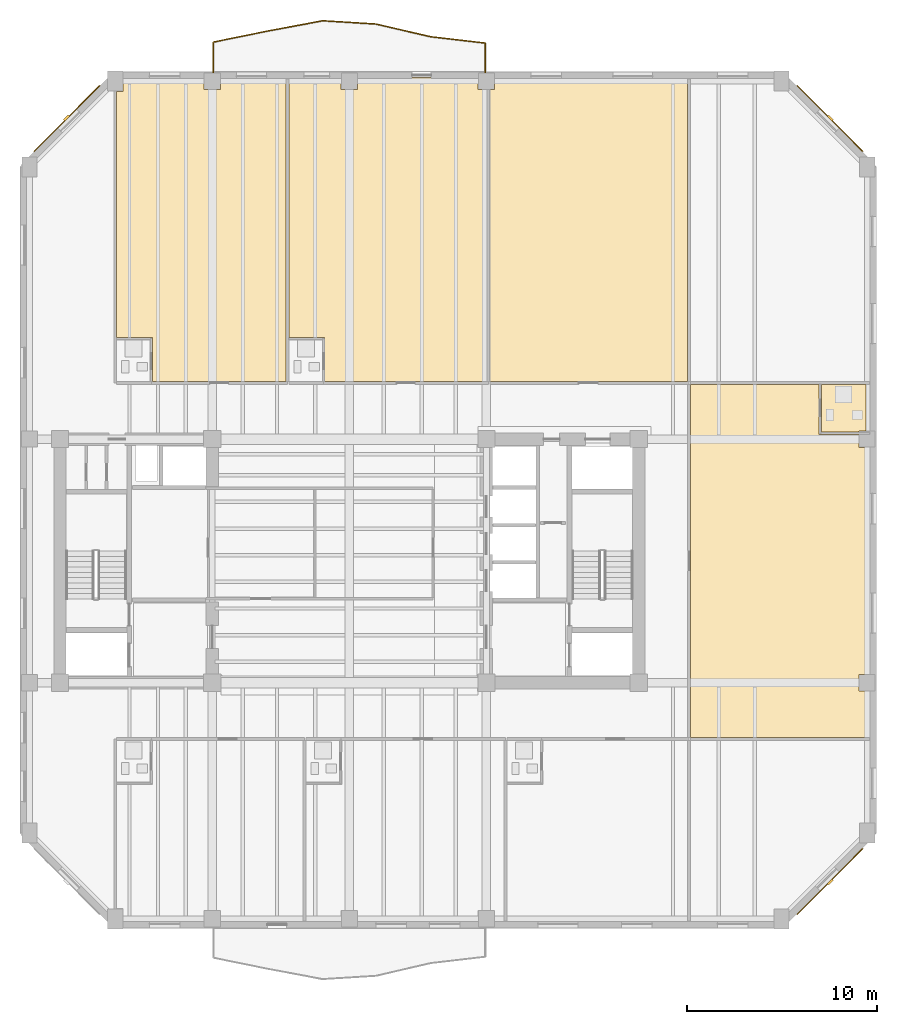
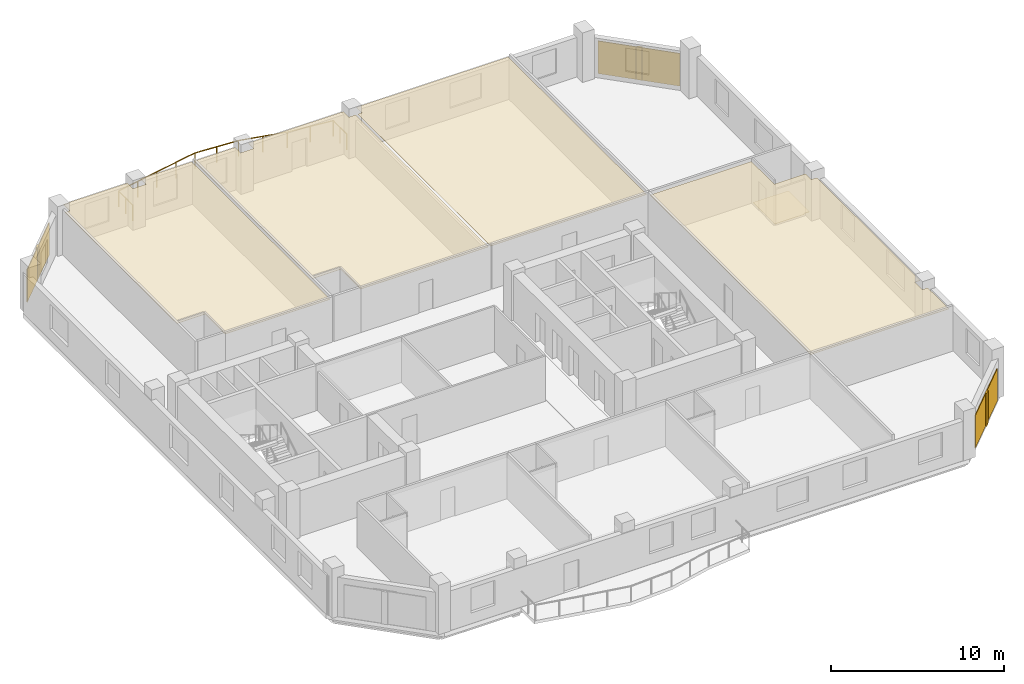
# One storey, part 8 of 9: 8 coverings, 3 shading devices, 1 railing.
"""IFC4 building model written with IfcOpenShell, lengths in metres."""

from ifc_helpers import new_model, si_unit, direction, frame, origin, origin_2d, place, context, subcontext, project, spatial, polyline, rectangle, circle, outline, extrude, material, layer, layer_set, type_object, element, save


model = new_model("IFC4")

# Units and contexts
model_context = context("Model", 3, precision=1e-05, world=origin(), true_north=direction((0.0, 1.0)))
body_context = subcontext(model_context, "Body", "Model", "MODEL_VIEW")
ifc_project = project(units=[si_unit("LENGTHUNIT", "METRE"), si_unit("AREAUNIT", "SQUARE_METRE"), si_unit("VOLUMEUNIT", "CUBIC_METRE"), si_unit("PLANEANGLEUNIT", "RADIAN"), si_unit("MASSUNIT", "GRAM", prefix="KILO")], contexts=[model_context])

# Site, building, storey
site_placement = place(None, origin())
site = spatial("IfcSite", under=ifc_project, at=site_placement, CompositionType="ELEMENT")
building_placement = place(site_placement, origin())
building = spatial("IfcBuilding", under=site, at=building_placement, Name="Kranthara Brick Stack", CompositionType="ELEMENT")
storey_placement = place(building_placement, frame((0.0, 0.0, 169.300048828125)))
storey = spatial("IfcBuildingStorey", under=building, at=storey_placement, Name="L43", CompositionType="ELEMENT", Elevation=169.300048828125)

# Coverings
ifc_material_1 = material(Name="Perforated mineral-fibre acoustic ceiling tile", Category="other")
ifc_layer_1 = layer(ifc_material_1, 0.02490234375)
ifc_layer_set_1 = layer_set([ifc_layer_1], Name="Perforated mineral-fibre acoustic ceiling tile")
covering_type_1 = type_object("IfcCoveringType", Name="COV-CEIL-ACOUSTIC", PredefinedType="CEILING", material=ifc_layer_set_1)
covering_1_placement = place(storey_placement, frame((0.0, 0.0, 2.929931640625)))
element("IfcCovering", 1, at=covering_1_placement, inside=storey, type_object=covering_type_1, Name="L43 Room L43-04 Corner Junior Suite Acoustic Ceiling", PredefinedType="CEILING", context=body_context, shape_type="SweptSolid", body=[
    extrude(outline(polyline([(24.6650390625, 36.6298828125), (17.659912109375, 36.6298828125), (17.659912109375, 38.93994140625), (15.780029296875, 38.93994140625), (15.780029296875, 51.864990234375), (16.110107421875, 51.864990234375), (16.110107421875, 52.60009765625), (20.364990234375, 52.60009765625), (20.364990234375, 51.965087890625), (21.235107421875, 51.965087890625), (21.235107421875, 52.60009765625), (24.6650390625, 52.60009765625), (24.6650390625, 36.6298828125)])), origin(), (0.0, 0.0, 1.0), 0.02490234375),
])
covering_2_placement = place(storey_placement, frame((0.0, 0.0, 2.929931640625)))
element("IfcCovering", 2, at=covering_2_placement, inside=storey, type_object=covering_type_1, Name="L43 Room L43-05 Corner Junior Suite Acoustic Ceiling", PredefinedType="CEILING", context=body_context, shape_type="SweptSolid", body=[
    extrude(outline(polyline([(35.217041015625, 36.6298828125), (26.705078125, 36.6298828125), (26.705078125, 38.93994140625), (24.824951171875, 38.93994140625), (24.824951171875, 52.60009765625), (27.56494140625, 52.60009765625), (27.56494140625, 51.965087890625), (28.43505859375, 51.965087890625), (28.43505859375, 52.60009765625), (34.764892578125, 52.60009765625), (34.764892578125, 51.965087890625), (35.217041015625, 51.965087890625), (35.217041015625, 36.6298828125)])), origin(), (0.0, 0.0, 1.0), 0.02490234375),
])
covering_3_placement = place(storey_placement, frame((0.0, 0.0, 2.929931640625)))
element("IfcCovering", 3, at=covering_3_placement, inside=storey, type_object=covering_type_1, Name="L43 L43 Guest Sky Lounge 6 Acoustic Ceiling", PredefinedType="CEILING", context=body_context, shape_type="SweptSolid", body=[
    extrude(outline(polyline([(45.77001953125, 52.60009765625), (45.77001953125, 36.6298828125), (35.376953125, 36.6298828125), (35.376953125, 51.965087890625), (35.635009765625, 51.965087890625), (35.635009765625, 52.60009765625), (45.77001953125, 52.60009765625)])), origin(), (0.0, 0.0, 1.0), 0.02490234375),
])
covering_4_placement = place(storey_placement, frame((0.0, 0.0, 2.929931640625)))
element("IfcCovering", 4, at=covering_4_placement, inside=storey, type_object=covering_type_1, Name="L43 Room L43-07 Corner Junior Suite Acoustic Ceiling", PredefinedType="CEILING", context=body_context, shape_type="SweptSolid", body=[
    extrude(outline(polyline([(45.919921875, 17.929931640625), (45.919921875, 36.469970703125), (52.669921875, 36.469970703125), (52.669921875, 33.840087890625), (54.764892578125, 33.840087890625), (54.764892578125, 33.1650390625), (55.1298828125, 33.1650390625), (55.1298828125, 21.235107421875), (54.764892578125, 21.235107421875), (54.764892578125, 20.364990234375), (55.1298828125, 20.364990234375), (55.1298828125, 17.929931640625), (45.919921875, 17.929931640625)])), origin(), (0.0, 0.0, 1.0), 0.02490234375),
])
ifc_material_2 = material(Name="Warm buff kiln-fired brick slip rainscreen", Category="masonry")
ifc_layer_2 = layer(ifc_material_2, 0.044921875)
ifc_layer_set_2 = layer_set([ifc_layer_2], Name="Warm buff kiln-fired brick slip rainscreen")
covering_type_2 = type_object("IfcCoveringType", Name="COV-CLAD-BRICK", PredefinedType="CLADDING", material=ifc_layer_set_2)
for number, where, z_axis, x_axis, name in (
    (5, (13.15966796875, 50.4404296875, 0.0498046875), (0.0, 0.0, 1.0), (0.707106781187, 0.707106781187, 0.0), "L43 Chamfer Brick Rainscreen Cladding NW"),
    (6, (53.240478515625, 50.4404296875, 0.0498046875), (0.0, 0.0, 1.0), (0.707106781187, -0.707106781187, 0.0), "L43 Chamfer Brick Rainscreen Cladding NE"),
    (7, (53.240478515625, 10.359619140625, 0.0498046875), (0.0, 0.0, 1.0), (-0.707106781187, -0.707106781187, 0.0), "L43 Chamfer Brick Rainscreen Cladding SE"),
):
    element("IfcCovering", number, at=place(storey_placement, frame(where, z_axis=z_axis, x_axis=x_axis)), inside=storey, type_object=covering_type_2, Name=name, PredefinedType="CLADDING", context=body_context, shape_type="SweptSolid", body=[
        extrude(rectangle(XDim=4.89306640625, YDim=0.044921875, at=origin_2d()), origin(), (0.0, 0.0, 1.0), 2.300048828125),
    ])
ifc_material_3 = material(Name="Honed terrazzo and porcelain floor finish", Category="stone")
ifc_layer_3 = layer(ifc_material_3, 0.030029296875)
ifc_layer_set_3 = layer_set([ifc_layer_3], Name="Honed terrazzo and porcelain floor finish")
covering_type_3 = type_object("IfcCoveringType", Name="COV-FLOR-STONE", PredefinedType="FLOORING", material=ifc_layer_set_3)
covering_5_placement = place(storey_placement, origin())
element("IfcCovering", 8, at=covering_5_placement, inside=storey, type_object=covering_type_3, Name="L43 Wet Room Porcelain Flooring", PredefinedType="FLOORING", context=body_context, shape_type="SweptSolid", body=[
    extrude(outline(polyline([(52.7900390625, 36.469970703125), (55.1298828125, 36.469970703125), (55.1298828125, 34.034912109375), (54.764892578125, 34.034912109375), (54.764892578125, 33.9599609375), (52.7900390625, 33.9599609375), (52.7900390625, 36.469970703125)])), origin(), (0.0, 0.0, 1.0), 0.030029296875),
])

# Railing
ifc_material_4 = material(Name="Bronze anodised aluminium and laminated glass balustrade", Category="aluminium")
railing_type = type_object("IfcRailingType", Name="RL-BALC-1120", PredefinedType="BALUSTRADE", material=ifc_material_4)
railing_placement = place(storey_placement, frame((20.860107421875, 52.840087890625, 0.0)))
element("IfcRailing", 9, at=railing_placement, inside=storey, type_object=railing_type, Name="L43 North Rippling Balcony Balustrade", PredefinedType="BALUSTRADE", context=body_context, shape_type="SweptSolid", body=[
    extrude(circle(Radius=0.02392578125, at=origin_2d()), frame((0.0, 0.0, 1.09619140625), z_axis=(0.0, 1.0, 0.0), x_axis=(-1.0, 0.0, 0.0)), (0.0, 0.0, 1.0), 1.61376953125),
    extrude(circle(Radius=0.02392578125, at=origin_2d()), frame((0.0, 1.61376953125, 1.09619140625), z_axis=(0.979851866, 0.199725613521, 0.0), x_axis=(-0.199725613521, 0.979851866, 0.0)), (0.0, 0.0, 1.0), 2.938720703125),
    extrude(circle(Radius=0.02392578125, at=origin_2d()), frame((2.87939453125, 2.20068359375, 1.09619140625), z_axis=(0.983020651428, 0.183494955968, 0.0), x_axis=(-0.183494955968, 0.983020651428, 0.0)), (0.0, 0.0, 1.0), 2.91650390625),
    extrude(circle(Radius=0.02392578125, at=origin_2d()), frame((5.746337890625, 2.73583984375, 1.09619140625), z_axis=(0.998094578031, -0.061702619915, 0.0), x_axis=(0.061702619915, 0.998094578031, 0.0)), (0.0, 0.0, 1.0), 2.78955078125),
    extrude(circle(Radius=0.02392578125, at=origin_2d()), frame((8.530517578125, 2.563720703125, 1.09619140625), z_axis=(0.974158783087, -0.225864263074, 0.0), x_axis=(0.225864263074, 0.974158783087, 0.0)), (0.0, 0.0, 1.0), 2.945556640625),
    extrude(circle(Radius=0.02392578125, at=origin_2d()), frame((11.39990234375, 1.8984375, 1.09619140625), z_axis=(0.993265077314, -0.115864084977, 0.0), x_axis=(0.115864084977, 0.993265077314, 0.0)), (0.0, 0.0, 1.0), 2.8994140625),
    extrude(circle(Radius=0.02392578125, at=origin_2d()), frame((14.27978515625, 1.5625, 1.09619140625), z_axis=(0.0, -1.0, 0.0), x_axis=(1.0, 0.0, 0.0)), (0.0, 0.0, 1.0), 1.5625),
    extrude(circle(Radius=0.02099609375, at=origin_2d()), origin(), (0.0, 0.0, 1.0), 1.072021484375),
    extrude(circle(Radius=0.02099609375, at=origin_2d()), frame((0.0, 0.806884765625, 0.0)), (0.0, 0.0, 1.0), 1.072021484375),
    extrude(circle(Radius=0.02099609375, at=origin_2d()), frame((0.0, 1.61376953125, 0.0)), (0.0, 0.0, 1.0), 1.072021484375),
    extrude(circle(Radius=0.02099609375, at=origin_2d()), frame((1.439697265625, 1.9072265625, 0.0)), (0.0, 0.0, 1.0), 1.072021484375),
    extrude(circle(Radius=0.02099609375, at=origin_2d()), frame((2.87939453125, 2.20068359375, 0.0)), (0.0, 0.0, 1.0), 1.072021484375),
    extrude(circle(Radius=0.02099609375, at=origin_2d()), frame((4.31298828125, 2.46826171875, 0.0)), (0.0, 0.0, 1.0), 1.072021484375),
    extrude(circle(Radius=0.02099609375, at=origin_2d()), frame((5.746337890625, 2.73583984375, 0.0)), (0.0, 0.0, 1.0), 1.072021484375),
    extrude(circle(Radius=0.02099609375, at=origin_2d()), frame((7.138427734375, 2.64990234375, 0.0)), (0.0, 0.0, 1.0), 1.072021484375),
    extrude(circle(Radius=0.02099609375, at=origin_2d()), frame((8.530517578125, 2.563720703125, 0.0)), (0.0, 0.0, 1.0), 1.072021484375),
    extrude(circle(Radius=0.02099609375, at=origin_2d()), frame((9.96533203125, 2.23095703125, 0.0)), (0.0, 0.0, 1.0), 1.072021484375),
    extrude(circle(Radius=0.02099609375, at=origin_2d()), frame((11.39990234375, 1.8984375, 0.0)), (0.0, 0.0, 1.0), 1.072021484375),
    extrude(circle(Radius=0.02099609375, at=origin_2d()), frame((12.83984375, 1.73046875, 0.0)), (0.0, 0.0, 1.0), 1.072021484375),
    extrude(circle(Radius=0.02099609375, at=origin_2d()), frame((14.27978515625, 1.5625, 0.0)), (0.0, 0.0, 1.0), 1.072021484375),
    extrude(circle(Radius=0.02099609375, at=origin_2d()), frame((14.27978515625, 0.78125, 0.0)), (0.0, 0.0, 1.0), 1.072021484375),
    extrude(circle(Radius=0.02099609375, at=origin_2d()), frame((14.27978515625, 0.0, 0.0)), (0.0, 0.0, 1.0), 1.072021484375),
])

# Shading devices
ifc_material_5 = material(Name="Kiln-fired terracotta aerodynamic wind fin", Category="masonry")
shading_device_type = type_object("IfcShadingDeviceType", Name="SHD-BAFFLE-CORNER", PredefinedType="SHUTTER", material=ifc_material_5)
for number, where, z_axis, x_axis, name in (
    (10, (13.138427734375, 50.461669921875, 0.0498046875), (0.0, 0.0, 1.0), (0.707106781187, 0.707106781187, 0.0), "L43 Chamfer Wind-Baffle Fin NW"),
    (11, (53.26171875, 50.461669921875, 0.0498046875), (0.0, 0.0, 1.0), (0.707106781187, -0.707106781187, 0.0), "L43 Chamfer Wind-Baffle Fin NE"),
    (12, (53.26171875, 10.33837890625, 0.0498046875), (0.0, 0.0, 1.0), (-0.707106781187, -0.707106781187, 0.0), "L43 Chamfer Wind-Baffle Fin SE"),
):
    element("IfcShadingDevice", number, at=place(storey_placement, frame(where, z_axis=z_axis, x_axis=x_axis)), inside=storey, type_object=shading_device_type, Name=name, PredefinedType="SHUTTER", context=body_context, shape_type="SweptSolid", body=[
        extrude(rectangle(XDim=0.35009765625, YDim=0.1201171875, at=origin_2d()), origin(), (0.0, 0.0, 1.0), 2.300048828125),
    ])

save(model, "model.ifc")
